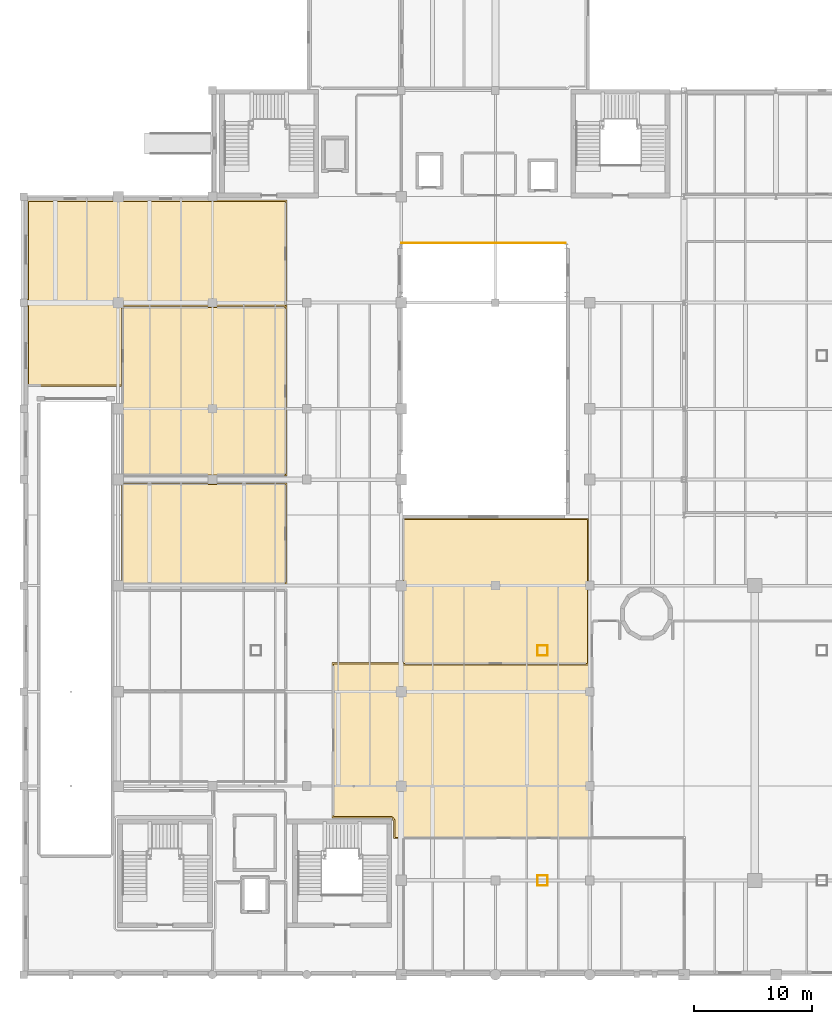
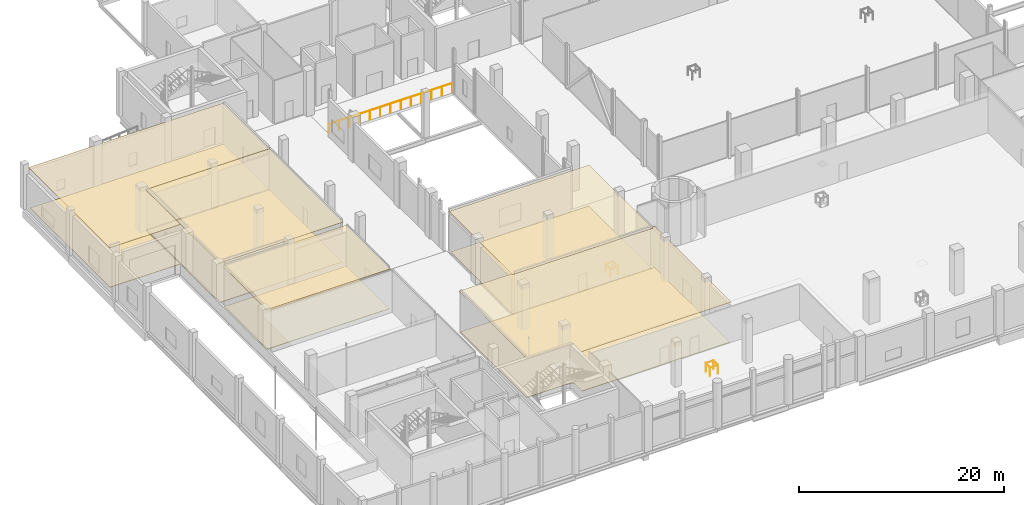
# One storey, part 51 of 57: 10 coverings, 9 railings.
"""IFC4 building model written with IfcOpenShell, lengths in metres."""

from ifc_helpers import new_model, si_unit, derived_unit, direction, frame, origin, origin_2d, place, context, subcontext, project, spatial, polyline, circle, outline, extrude, material, layer, layer_set, type_object, element, save


model = new_model("IFC4")

# Units and contexts
model_context = context("Model", 3, precision=1e-05, world=origin(), true_north=direction((0.0, 1.0)))
body_context = subcontext(model_context, "Body", "Model", "MODEL_VIEW")
ifc_project = project(units=[si_unit("LENGTHUNIT", "METRE"), si_unit("AREAUNIT", "SQUARE_METRE"), si_unit("VOLUMEUNIT", "CUBIC_METRE"), si_unit("PLANEANGLEUNIT", "RADIAN"), si_unit("MASSUNIT", "GRAM", prefix="KILO"), derived_unit("THERMALTRANSMITTANCEUNIT", [(si_unit("POWERUNIT", "WATT"), 1), (si_unit("LENGTHUNIT", "METRE"), -2), (si_unit("THERMODYNAMICTEMPERATUREUNIT", "KELVIN"), -1)])], contexts=[model_context])

# Site, building, storey
site_placement = place(None, origin())
site = spatial("IfcSite", under=ifc_project, at=site_placement, CompositionType="ELEMENT")
building_placement = place(site_placement, origin())
building = spatial("IfcBuilding", under=site, at=building_placement, Name="Nallur Shell Playhouse", CompositionType="ELEMENT")
storey_placement = place(building_placement, origin())
storey = spatial("IfcBuildingStorey", under=building, at=storey_placement, Name="L01", CompositionType="ELEMENT", Elevation=0.0)

# Coverings
ifc_material_1 = material(Name="Micro-Perforated Teak Veneer Acoustic Baffle Ceiling")
ifc_layer_1 = layer(ifc_material_1, 0.044921875)
ifc_layer_set_1 = layer_set([ifc_layer_1], Name="Micro-Perforated Teak Veneer Acoustic Baffle Ceiling")
covering_type_1 = type_object("IfcCoveringType", Name="CV-CEIL-AC1", PredefinedType="CEILING", material=ifc_layer_set_1)
covering_1_placement = place(storey_placement, frame((0.0, 0.0, 4.804931640625)))
element("IfcCovering", 1, at=covering_1_placement, inside=storey, type_object=covering_type_1, Name="Box Office & Patron Ticketing Suite suspended acoustic ceiling", PredefinedType="CEILING", context=body_context, shape_type="SweptSolid", body=[
    extrude(outline(polyline([(55.909912109375, 46.7099609375), (55.909912109375, 34.2900390625), (40.090087890625, 34.2900390625), (40.090087890625, 46.7099609375), (55.909912109375, 46.7099609375)])), origin(), (0.0, 0.0, 1.0), 0.045166015625),
])
covering_2_placement = place(storey_placement, frame((0.0, 0.0, 4.804931640625)))
element("IfcCovering", 2, at=covering_2_placement, inside=storey, type_object=covering_type_1, Name="Acoustic Airlock Lorry Loading Dock suspended acoustic ceiling", PredefinedType="CEILING", context=body_context, shape_type="SweptSolid", body=[
    extrude(outline(polyline([(16.409912109375, 64.590087890625), (16.409912109375, 57.889892578125), (8.2900390625, 57.889892578125), (8.2900390625, 73.7099609375), (30.31005859375, 73.7099609375), (30.31005859375, 64.590087890625), (16.409912109375, 64.590087890625)])), origin(), (0.0, 0.0, 1.0), 0.045166015625),
])
covering_3_placement = place(storey_placement, frame((0.0, 0.0, 4.804931640625)))
element("IfcCovering", 3, at=covering_3_placement, inside=storey, type_object=covering_type_1, Name="Secure Bicycle & Scooter Store suspended acoustic ceiling", PredefinedType="CEILING", context=body_context, shape_type="SweptSolid", body=[
    extrude(outline(polyline([(30.31005859375, 49.7099609375), (30.31005859375, 41.090087890625), (16.2900390625, 41.090087890625), (16.2900390625, 49.7099609375), (30.31005859375, 49.7099609375)])), origin(), (0.0, 0.0, 1.0), 0.045166015625),
])
ifc_material_2 = material(Name="Mineral-Fibre High-NRC Suspended Ceiling Tile")
ifc_layer_2 = layer(ifc_material_2, 0.030029296875)
ifc_layer_set_2 = layer_set([ifc_layer_2], Name="Mineral-Fibre High-NRC Suspended Ceiling Tile")
covering_type_2 = type_object("IfcCoveringType", Name="CV-CEIL-AC2", PredefinedType="CEILING", material=ifc_layer_set_2)
covering_4_placement = place(storey_placement, frame((0.0, 0.0, 4.820068359375)))
element("IfcCovering", 4, at=covering_4_placement, inside=storey, type_object=covering_type_2, Name="Green Room & Performers Lounge suspended acoustic ceiling", PredefinedType="CEILING", context=body_context, shape_type="SweptSolid", body=[
    extrude(outline(polyline([(30.31005859375, 64.7099609375), (30.31005859375, 50.2900390625), (16.2900390625, 50.2900390625), (16.2900390625, 64.7099609375), (30.31005859375, 64.7099609375)])), origin(), (0.0, 0.0, 1.0), 0.030029296875),
])
covering_5_placement = place(storey_placement, frame((0.0, 0.0, 4.820068359375)))
element("IfcCovering", 5, at=covering_5_placement, inside=storey, type_object=covering_type_2, Name="Ground Monsoon Atrium Concourse suspended acoustic ceiling", PredefinedType="CEILING", context=body_context, shape_type="SweptSolid", body=[
    extrude(outline(polyline([(39.26953125, 21.257080078125), (39.263427734375, 21.263427734375), (39.257080078125, 21.26953125), (39.25, 21.27490234375), (39.242431640625, 21.279296875), (39.234375, 21.283203125), (39.22607421875, 21.285888671875), (39.2177734375, 21.2880859375), (39.208984375, 21.289306640625), (39.197265625, 21.2900390625), (34.139892578125, 21.2900390625), (34.139892578125, 34.4599609375), (56.260009765625, 34.4599609375), (56.260009765625, 19.5400390625), (39.3701171875, 19.5400390625), (39.3701171875, 21.070068359375), (39.2900390625, 21.070068359375), (39.2900390625, 21.197265625), (39.289306640625, 21.208984375), (39.2880859375, 21.2177734375), (39.285888671875, 21.22607421875), (39.283203125, 21.234375), (39.279296875, 21.242431640625), (39.27490234375, 21.25), (39.26953125, 21.257080078125)])), origin(), (0.0, 0.0, 1.0), 0.030029296875),
])
ifc_material_3 = material(Name="Polished Chettinad Oxide & White Marble Terrazzo Flooring", Category="masonry")
ifc_layer_3 = layer(ifc_material_3, 0.050048828125)
ifc_layer_set_3 = layer_set([ifc_layer_3], Name="Polished Chettinad Oxide & White Marble Terrazzo Flooring")
covering_type_3 = type_object("IfcCoveringType", Name="CV-FLOR-TERRAZZO", PredefinedType="FLOORING", material=ifc_layer_set_3)
covering_6_placement = place(storey_placement, origin())
element("IfcCovering", 6, at=covering_6_placement, inside=storey, type_object=covering_type_3, Name="Box Office & Patron Ticketing Suite floor finish", PredefinedType="FLOORING", context=body_context, shape_type="SweptSolid", body=[
    extrude(outline(polyline([(55.800048828125, 46.60009765625), (55.800048828125, 34.39990234375), (40.199951171875, 34.39990234375), (40.199951171875, 46.60009765625), (55.800048828125, 46.60009765625)])), origin(), (0.0, 0.0, 1.0), 0.050048828125),
])
covering_7_placement = place(storey_placement, origin())
element("IfcCovering", 7, at=covering_7_placement, inside=storey, type_object=covering_type_3, Name="Green Room & Performers Lounge floor finish", PredefinedType="FLOORING", context=body_context, shape_type="SweptSolid", body=[
    extrude(outline(polyline([(30.199951171875, 64.60009765625), (30.199951171875, 50.39990234375), (16.39990234375, 50.39990234375), (16.39990234375, 64.60009765625), (30.199951171875, 64.60009765625)])), origin(), (0.0, 0.0, 1.0), 0.050048828125),
])
covering_8_placement = place(storey_placement, origin())
element("IfcCovering", 8, at=covering_8_placement, inside=storey, type_object=covering_type_3, Name="Acoustic Airlock Lorry Loading Dock floor finish", PredefinedType="FLOORING", context=body_context, shape_type="SweptSolid", body=[
    extrude(outline(polyline([(16.344482421875, 64.68310546875), (16.336669921875, 64.67724609375), (16.329345703125, 64.670654296875), (16.32275390625, 64.663330078125), (16.31689453125, 64.655517578125), (16.311767578125, 64.647216796875), (16.3076171875, 64.63818359375), (16.30419921875, 64.62890625), (16.302001953125, 64.619384765625), (16.300537109375, 64.60986328125), (16.300048828125, 64.60009765625), (16.300048828125, 58.0), (8.39990234375, 58.0), (8.39990234375, 73.60009765625), (30.199951171875, 73.60009765625), (30.199951171875, 64.699951171875), (16.39990234375, 64.699951171875), (16.39013671875, 64.699462890625), (16.380615234375, 64.697998046875), (16.37109375, 64.69580078125), (16.36181640625, 64.6923828125), (16.352783203125, 64.688232421875), (16.344482421875, 64.68310546875)])), origin(), (0.0, 0.0, 1.0), 0.050048828125),
])
covering_9_placement = place(storey_placement, origin())
element("IfcCovering", 9, at=covering_9_placement, inside=storey, type_object=covering_type_3, Name="Secure Bicycle & Scooter Store floor finish", PredefinedType="FLOORING", context=body_context, shape_type="SweptSolid", body=[
    extrude(outline(polyline([(30.199951171875, 49.60009765625), (30.199951171875, 41.199951171875), (16.39990234375, 41.199951171875), (16.39990234375, 49.60009765625), (30.199951171875, 49.60009765625)])), origin(), (0.0, 0.0, 1.0), 0.050048828125),
])
covering_10_placement = place(storey_placement, origin())
element("IfcCovering", 10, at=covering_10_placement, inside=storey, type_object=covering_type_3, Name="Ground Monsoon Atrium Concourse floor finish", PredefinedType="FLOORING", context=body_context, shape_type="SweptSolid", body=[
    extrude(outline(polyline([(39.47314453125, 21.1689453125), (39.47119140625, 21.171142578125), (39.468994140625, 21.173095703125), (39.466796875, 21.1748046875), (39.464111328125, 21.176513671875), (39.46142578125, 21.177734375), (39.458740234375, 21.1787109375), (39.455810546875, 21.179443359375), (39.452880859375, 21.179931640625), (39.449951171875, 21.179931640625), (39.39990234375, 21.179931640625), (39.39990234375, 21.199951171875), (39.39892578125, 21.219482421875), (39.396240234375, 21.239013671875), (39.391357421875, 21.258056640625), (39.384765625, 21.276611328125), (39.37646484375, 21.294189453125), (39.3662109375, 21.31103515625), (39.3544921875, 21.326904296875), (39.34130859375, 21.34130859375), (39.326904296875, 21.3544921875), (39.31103515625, 21.3662109375), (39.294189453125, 21.37646484375), (39.276611328125, 21.384765625), (39.258056640625, 21.391357421875), (39.239013671875, 21.396240234375), (39.219482421875, 21.39892578125), (39.199951171875, 21.39990234375), (34.25, 21.39990234375), (34.25, 34.35009765625), (56.14990234375, 34.35009765625), (56.14990234375, 19.64990234375), (39.47998046875, 19.64990234375), (39.47998046875, 21.14990234375), (39.47998046875, 21.15283203125), (39.4794921875, 21.156005859375), (39.478759765625, 21.15869140625), (39.477783203125, 21.16162109375), (39.4765625, 21.1640625), (39.474853515625, 21.166748046875), (39.47314453125, 21.1689453125)])), origin(), (0.0, 0.0, 1.0), 0.050048828125),
])

# Railings
ifc_material_4 = material(Name="Brushed Stainless Steel 316 Balustrade & Toughened Infill", Category="steel")
railing_type = type_object("IfcRailingType", Name="RL-GUARD-1100", PredefinedType="BALUSTRADE", material=ifc_material_4)
railing_1_placement = place(storey_placement, frame((53.9599609375, 70.080078125, 0.0)))
element("IfcRailing", 11, at=railing_1_placement, inside=storey, type_object=railing_type, Name="L01 courtyard bridge balustrade 02", PredefinedType="BALUSTRADE", context=body_context, shape_type="SweptSolid", body=[
    extrude(circle(Radius=0.02392578125, at=origin_2d()), frame((0.0, 0.0, 1.09619140625), z_axis=(-1.0, 0.0, 0.0), x_axis=(0.0, -1.0, 0.0)), (0.0, 0.0, 1.0), 13.919921875),
    extrude(circle(Radius=0.02099609375, at=origin_2d()), origin(), (0.0, 0.0, 1.0), 1.072021484375),
    extrude(circle(Radius=0.02099609375, at=origin_2d()), frame((-1.159912109375, 0.0, 0.0)), (0.0, 0.0, 1.0), 1.072021484375),
    extrude(circle(Radius=0.02099609375, at=origin_2d()), frame((-2.320068359375, 0.0, 0.0)), (0.0, 0.0, 1.0), 1.072021484375),
    extrude(circle(Radius=0.02099609375, at=origin_2d()), frame((-3.47998046875, 0.0, 0.0)), (0.0, 0.0, 1.0), 1.072021484375),
    extrude(circle(Radius=0.02099609375, at=origin_2d()), frame((-4.639892578125, 0.0, 0.0)), (0.0, 0.0, 1.0), 1.072021484375),
    extrude(circle(Radius=0.02099609375, at=origin_2d()), frame((-5.800048828125, 0.0, 0.0)), (0.0, 0.0, 1.0), 1.072021484375),
    extrude(circle(Radius=0.02099609375, at=origin_2d()), frame((-6.9599609375, 0.0, 0.0)), (0.0, 0.0, 1.0), 1.072021484375),
    extrude(circle(Radius=0.02099609375, at=origin_2d()), frame((-8.119873046875, 0.0, 0.0)), (0.0, 0.0, 1.0), 1.072021484375),
    extrude(circle(Radius=0.02099609375, at=origin_2d()), frame((-9.280029296875, 0.0, 0.0)), (0.0, 0.0, 1.0), 1.072021484375),
    extrude(circle(Radius=0.02099609375, at=origin_2d()), frame((-10.43994140625, 0.0, 0.0)), (0.0, 0.0, 1.0), 1.072021484375),
    extrude(circle(Radius=0.02099609375, at=origin_2d()), frame((-11.599853515625, 0.0, 0.0)), (0.0, 0.0, 1.0), 1.072021484375),
    extrude(circle(Radius=0.02099609375, at=origin_2d()), frame((-12.760009765625, 0.0, 0.0)), (0.0, 0.0, 1.0), 1.072021484375),
    extrude(circle(Radius=0.02099609375, at=origin_2d()), frame((-13.919921875, 0.0, 0.0)), (0.0, 0.0, 1.0), 1.072021484375),
])
railing_2_placement = place(storey_placement, frame((51.570068359375, 15.570068359375, 0.0)))
element("IfcRailing", 12, at=railing_2_placement, inside=storey, type_object=railing_type, Name="L01 service riser edge guard 039", PredefinedType="BALUSTRADE", context=body_context, shape_type="SweptSolid", body=[
    extrude(circle(Radius=0.02392578125, at=origin_2d()), frame((0.0, 0.0, 1.09619140625), z_axis=(1.0, 0.0, 0.0), x_axis=(0.0, 1.0, 0.0)), (0.0, 0.0, 1.0), 0.85986328125),
    extrude(circle(Radius=0.02099609375, at=origin_2d()), origin(), (0.0, 0.0, 1.0), 1.072021484375),
    extrude(circle(Radius=0.02099609375, at=origin_2d()), frame((0.85986328125, 0.0, 0.0)), (0.0, 0.0, 1.0), 1.072021484375),
])
railing_3_placement = place(storey_placement, frame((52.429931640625, 15.570068359375, 0.0)))
element("IfcRailing", 13, at=railing_3_placement, inside=storey, type_object=railing_type, Name="L01 service riser edge guard 040", PredefinedType="BALUSTRADE", context=body_context, shape_type="SweptSolid", body=[
    extrude(circle(Radius=0.02392578125, at=origin_2d()), frame((0.0, 0.0, 1.09619140625), z_axis=(0.0, 1.0, 0.0), x_axis=(-1.0, 0.0, 0.0)), (0.0, 0.0, 1.0), 0.85986328125),
    extrude(circle(Radius=0.02099609375, at=origin_2d()), origin(), (0.0, 0.0, 1.0), 1.072021484375),
    extrude(circle(Radius=0.02099609375, at=origin_2d()), frame((0.0, 0.85986328125, 0.0)), (0.0, 0.0, 1.0), 1.072021484375),
])
railing_4_placement = place(storey_placement, frame((52.429931640625, 16.429931640625, 0.0)))
element("IfcRailing", 14, at=railing_4_placement, inside=storey, type_object=railing_type, Name="L01 service riser edge guard 041", PredefinedType="BALUSTRADE", context=body_context, shape_type="SweptSolid", body=[
    extrude(circle(Radius=0.02392578125, at=origin_2d()), frame((0.0, 0.0, 1.09619140625), z_axis=(-1.0, 0.0, 0.0), x_axis=(0.0, -1.0, 0.0)), (0.0, 0.0, 1.0), 0.85986328125),
    extrude(circle(Radius=0.02099609375, at=origin_2d()), origin(), (0.0, 0.0, 1.0), 1.072021484375),
    extrude(circle(Radius=0.02099609375, at=origin_2d()), frame((-0.85986328125, 0.0, 0.0)), (0.0, 0.0, 1.0), 1.072021484375),
])
railing_5_placement = place(storey_placement, frame((51.570068359375, 16.429931640625, 0.0)))
element("IfcRailing", 15, at=railing_5_placement, inside=storey, type_object=railing_type, Name="L01 service riser edge guard 042", PredefinedType="BALUSTRADE", context=body_context, shape_type="SweptSolid", body=[
    extrude(circle(Radius=0.02392578125, at=origin_2d()), frame((0.0, 0.0, 1.09619140625), z_axis=(0.0, -1.0, 0.0), x_axis=(1.0, 0.0, 0.0)), (0.0, 0.0, 1.0), 0.85986328125),
    extrude(circle(Radius=0.02099609375, at=origin_2d()), origin(), (0.0, 0.0, 1.0), 1.072021484375),
    extrude(circle(Radius=0.02099609375, at=origin_2d()), frame((0.0, -0.85986328125, 0.0)), (0.0, 0.0, 1.0), 1.072021484375),
])
railing_6_placement = place(storey_placement, frame((51.570068359375, 35.070068359375, 0.0)))
element("IfcRailing", 16, at=railing_6_placement, inside=storey, type_object=railing_type, Name="L01 service riser edge guard 043", PredefinedType="BALUSTRADE", context=body_context, shape_type="SweptSolid", body=[
    extrude(circle(Radius=0.02392578125, at=origin_2d()), frame((0.0, 0.0, 1.09619140625), z_axis=(1.0, 0.0, 0.0), x_axis=(0.0, 1.0, 0.0)), (0.0, 0.0, 1.0), 0.85986328125),
    extrude(circle(Radius=0.02099609375, at=origin_2d()), origin(), (0.0, 0.0, 1.0), 1.072021484375),
    extrude(circle(Radius=0.02099609375, at=origin_2d()), frame((0.85986328125, 0.0, 0.0)), (0.0, 0.0, 1.0), 1.072021484375),
])
railing_7_placement = place(storey_placement, frame((52.429931640625, 35.070068359375, 0.0)))
element("IfcRailing", 17, at=railing_7_placement, inside=storey, type_object=railing_type, Name="L01 service riser edge guard 044", PredefinedType="BALUSTRADE", context=body_context, shape_type="SweptSolid", body=[
    extrude(circle(Radius=0.02392578125, at=origin_2d()), frame((0.0, 0.0, 1.09619140625), z_axis=(0.0, 1.0, 0.0), x_axis=(-1.0, 0.0, 0.0)), (0.0, 0.0, 1.0), 0.85986328125),
    extrude(circle(Radius=0.02099609375, at=origin_2d()), origin(), (0.0, 0.0, 1.0), 1.072021484375),
    extrude(circle(Radius=0.02099609375, at=origin_2d()), frame((0.0, 0.85986328125, 0.0)), (0.0, 0.0, 1.0), 1.072021484375),
])
railing_8_placement = place(storey_placement, frame((52.429931640625, 35.929931640625, 0.0)))
element("IfcRailing", 18, at=railing_8_placement, inside=storey, type_object=railing_type, Name="L01 service riser edge guard 045", PredefinedType="BALUSTRADE", context=body_context, shape_type="SweptSolid", body=[
    extrude(circle(Radius=0.02392578125, at=origin_2d()), frame((0.0, 0.0, 1.09619140625), z_axis=(-1.0, 0.0, 0.0), x_axis=(0.0, -1.0, 0.0)), (0.0, 0.0, 1.0), 0.85986328125),
    extrude(circle(Radius=0.02099609375, at=origin_2d()), origin(), (0.0, 0.0, 1.0), 1.072021484375),
    extrude(circle(Radius=0.02099609375, at=origin_2d()), frame((-0.85986328125, 0.0, 0.0)), (0.0, 0.0, 1.0), 1.072021484375),
])
railing_9_placement = place(storey_placement, frame((51.570068359375, 35.929931640625, 0.0)))
element("IfcRailing", 19, at=railing_9_placement, inside=storey, type_object=railing_type, Name="L01 service riser edge guard 046", PredefinedType="BALUSTRADE", context=body_context, shape_type="SweptSolid", body=[
    extrude(circle(Radius=0.02392578125, at=origin_2d()), frame((0.0, 0.0, 1.09619140625), z_axis=(0.0, -1.0, 0.0), x_axis=(1.0, 0.0, 0.0)), (0.0, 0.0, 1.0), 0.85986328125),
    extrude(circle(Radius=0.02099609375, at=origin_2d()), origin(), (0.0, 0.0, 1.0), 1.072021484375),
    extrude(circle(Radius=0.02099609375, at=origin_2d()), frame((0.0, -0.85986328125, 0.0)), (0.0, 0.0, 1.0), 1.072021484375),
])

save(model, "model.ifc")
